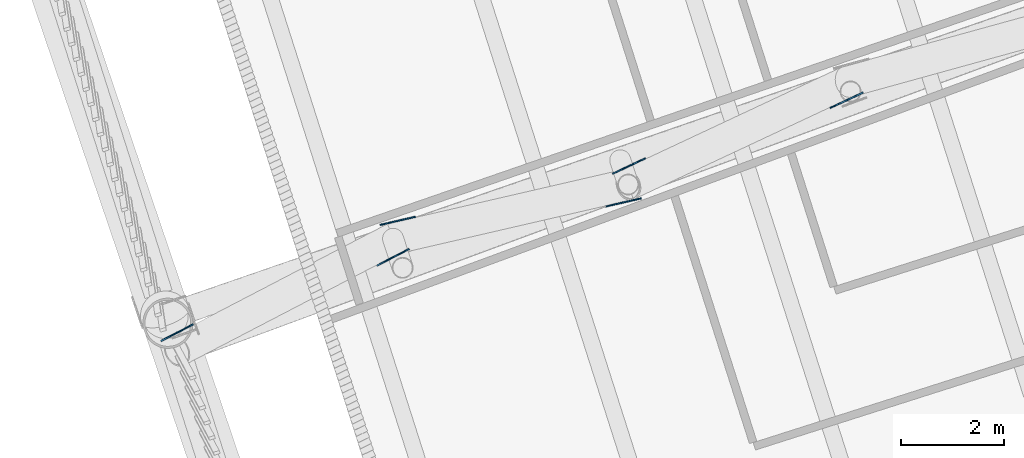
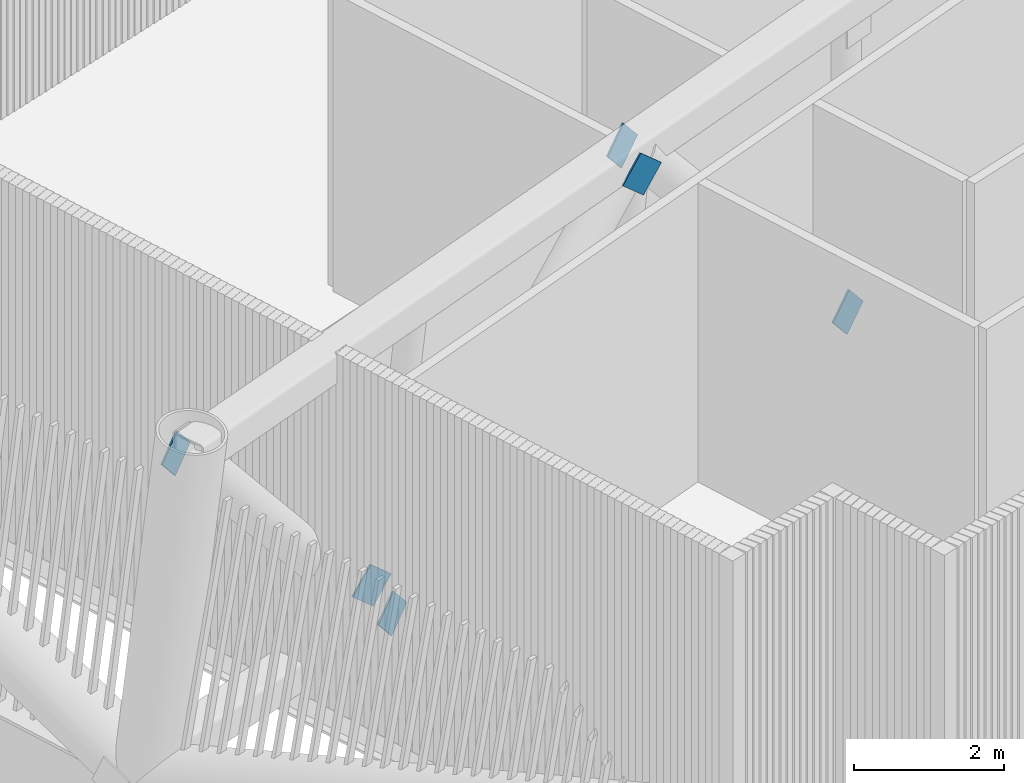
# One storey, part 16 of 40: 6 discrete accessories.
"""IFC4 building model written with IfcOpenShell, lengths in metres."""

from ifc_helpers import new_model, si_unit, direction, frame, origin, origin_2d, place, context, subcontext, project, spatial, rectangle, extrude, material, material_profile, profile_set, type_object, element, save


model = new_model("IFC4")

# Units and contexts
model_context = context("Model", 3, precision=1e-05, world=origin(), true_north=direction((0.0, 1.0)))
body_context = subcontext(model_context, "Body", "Model", "MODEL_VIEW")
ifc_project = project(units=[si_unit("LENGTHUNIT", "METRE"), si_unit("AREAUNIT", "SQUARE_METRE"), si_unit("VOLUMEUNIT", "CUBIC_METRE"), si_unit("PLANEANGLEUNIT", "RADIAN"), si_unit("MASSUNIT", "GRAM", prefix="KILO")], contexts=[model_context])

# Site, building, storey
site_placement = place(None, origin())
site = spatial("IfcSite", under=ifc_project, at=site_placement, CompositionType="ELEMENT")
building_placement = place(site_placement, origin())
building = spatial("IfcBuilding", under=site, at=building_placement, Name="Tarsis Ring Headquarters", CompositionType="ELEMENT")
storey_placement = place(building_placement, frame((0.0, 0.0, 354.800048828125)))
storey = spatial("IfcBuildingStorey", under=building, at=storey_placement, Name="L84", CompositionType="ELEMENT", Elevation=354.800048828125)

# Discrete accessories
ifc_material = material(Name="Structural steel S355", Category="steel")
ifc_material_profile = material_profile(ifc_material, rectangle(XDim=0.02490234375, YDim=0.5, at=origin_2d()), Name="PL 25x500")
ifc_profile_set = profile_set([ifc_material_profile], Name="Structural steel S355")
discrete_accessory_type = type_object("IfcDiscreteAccessoryType", Name="Gusset plate Outrigger 25", PredefinedType="BRACKET", material=ifc_profile_set)
for number, where, z_axis, x_axis, name in (
    (1, (-27.447265625, -8.761474609375, 0.25390625), (-0.5976048169, -0.2797610785, 0.751400174191), (0.423978846795, -0.905672091582, 0.0), "Gusset plate GP1"),
    (2, (-31.957763671875, -10.173828125, 5.5859375), (0.597523135381, 0.280211012834, -0.751297471692), (-0.424585481302, 0.9053878556, 0.0), "Gusset plate GP1"),
    (3, (-31.751953125, -10.770263671875, 5.5859375), (-0.641694741362, -0.1479707052, -0.752550682221), (0.224697023802, -0.974428677479, 0.0), "Gusset plate GP1"),
    (4, (-36.444091796875, -11.201904296875, 0.25390625), (0.641981868714, 0.147924339331, 0.752314874288), (-0.224534769326, 0.974466078098, 0.0), "Gusset plate GP1"),
    (5, (-36.226318359375, -11.79248046875, 0.25390625), (-0.58733191246, -0.305627412469, 0.749421850064), (0.46160811188, -0.887083959412, 0.0), "Gusset plate GP1"),
    (6, (-40.698974609375, -13.404052734375, 5.5859375), (0.58733191246, 0.305627412469, -0.749421850064), (-0.46160811188, 0.887083959412, 0.0), "Gusset plate GP1"),
):
    element("IfcDiscreteAccessory", number, at=place(storey_placement, frame(where, z_axis=z_axis, x_axis=x_axis)), inside=storey, type_object=discrete_accessory_type, Name=name, PredefinedType="BRACKET", context=body_context, shape_type="SweptSolid", body=[
        extrude(rectangle(XDim=0.02490234375, YDim=0.5, at=origin_2d()), origin(), (0.0, 0.0, 1.0), 0.5),
    ])

save(model, "model.ifc")
